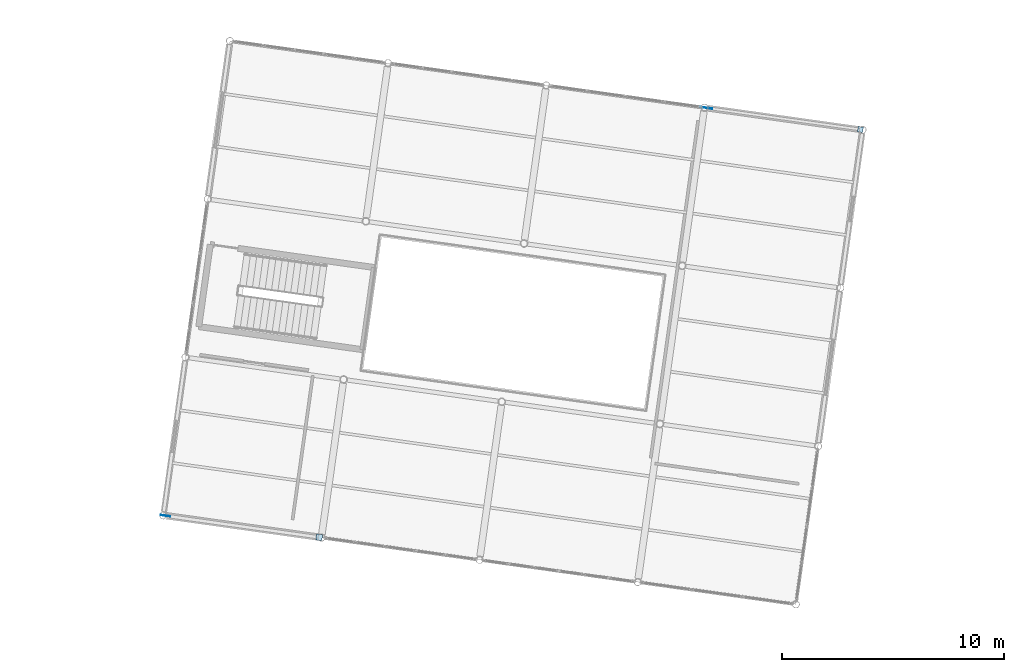
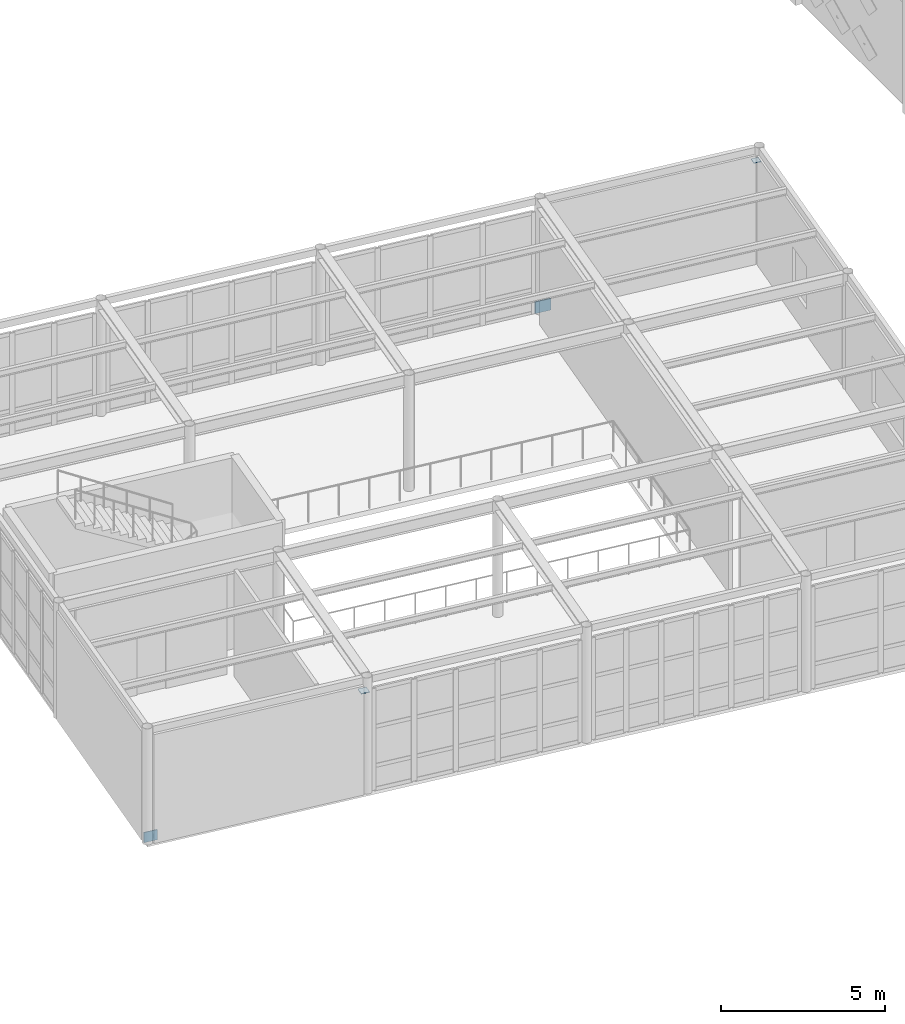
# One storey, part 62 of 80: 4 plates.
"""IFC4 building model written with IfcOpenShell, lengths in metres."""

from ifc_helpers import new_model, si_unit, direction, frame, origin, origin_2d, place, context, subcontext, project, spatial, rectangle, extrude, material, layer, layer_set, type_object, element, save


model = new_model("IFC4")

# Units and contexts
model_context = context("Model", 3, precision=1e-05, world=origin(), true_north=direction((0.0, 1.0)))
body_context = subcontext(model_context, "Body", "Model", "MODEL_VIEW")
ifc_project = project(units=[si_unit("LENGTHUNIT", "METRE"), si_unit("AREAUNIT", "SQUARE_METRE"), si_unit("VOLUMEUNIT", "CUBIC_METRE"), si_unit("PLANEANGLEUNIT", "RADIAN"), si_unit("MASSUNIT", "GRAM", prefix="KILO")], contexts=[model_context])

# Site, building, storey
site_placement = place(None, origin())
site = spatial("IfcSite", under=ifc_project, at=site_placement, CompositionType="ELEMENT")
building_placement = place(site_placement, origin())
building = spatial("IfcBuilding", under=site, at=building_placement, Name="Kharisveld Research Institute", CompositionType="ELEMENT")
storey_placement = place(building_placement, frame((0.0, 0.0, 5.10009765625)))
storey = spatial("IfcBuildingStorey", under=building, at=storey_placement, Name="L01", CompositionType="ELEMENT", Elevation=5.10009765625)

# Plates
ifc_material_1 = material(Name="Steel S355JR", Category="steel")
ifc_layer_1 = layer(ifc_material_1, 0.02197265625)
ifc_layer_set_1 = layer_set([ifc_layer_1], Name="PL_CAP_C")
plate_type_1 = type_object("IfcPlateType", Name="PL_CAP_C", PredefinedType="SHEET", material=ifc_layer_set_1)
plate_1_placement = place(storey_placement, frame((82.031005859375, 16.511962890625, 3.7490234375), z_axis=(0.0, 0.0, 1.0), x_axis=(0.990268068742, -0.13917310096, 0.0)))
element("IfcPlate", 1, at=plate_1_placement, inside=storey, type_object=plate_type_1, Name="PLT:V4:L01:CAP_0_0", PredefinedType="SHEET", context=body_context, shape_type="SweptSolid", body=[
    extrude(rectangle(XDim=0.280029296875, YDim=0.280029296875, at=origin_2d()), origin(), (0.0, 0.0, 1.0), 0.02197265625),
])
ifc_material_2 = material(Name="Steel S355JR", Category="steel")
ifc_layer_2 = layer(ifc_material_2, 0.02587890625)
ifc_layer_set_2 = layer_set([ifc_layer_2], Name="PL_CAP_D")
plate_type_2 = type_object("IfcPlateType", Name="PL_CAP_D", PredefinedType="SHEET", material=ifc_layer_set_2)
plate_2_placement = place(storey_placement, frame((106.4267578125, 34.8955078125, 3.7470703125), z_axis=(0.0, 0.0, 1.0), x_axis=(0.990268068742, -0.13917310096, 0.0)))
element("IfcPlate", 2, at=plate_2_placement, inside=storey, type_object=plate_type_2, Name="PLT:V4:L01:CAP_3_3", PredefinedType="SHEET", context=body_context, shape_type="SweptSolid", body=[
    extrude(rectangle(XDim=0.239990234375, YDim=0.239990234375, at=origin_2d()), origin(), (0.0, 0.0, 1.0), 0.02587890625),
])
ifc_material_3 = material(Name="Steel S355JR", Category="steel")
ifc_layer_3 = layer(ifc_material_3, 0.02392578125)
ifc_layer_set_3 = layer_set([ifc_layer_3], Name="PL_GUS_C")
plate_type_3 = type_object("IfcPlateType", Name="PL_GUS_C", PredefinedType="USERDEFINED", material=ifc_layer_set_3)
plate_3_placement = place(storey_placement, frame((75.09912109375, 17.486083984375, 0.010009765625), z_axis=(0.0, 0.0, 1.0), x_axis=(0.990268068742, -0.13917310096, 0.0)))
element("IfcPlate", 3, at=plate_3_placement, inside=storey, type_object=plate_type_3, Name="PLT:V4:L01:GUS_0_0", ObjectType="GUSSET PLATE", PredefinedType="USERDEFINED", context=body_context, shape_type="SweptSolid", body=[
    extrude(rectangle(XDim=0.43994140625, YDim=0.02392578125, at=origin_2d()), origin(), (0.0, 0.0, 1.0), 0.3798828125),
])
ifc_material_4 = material(Name="Steel S355JR", Category="steel")
ifc_layer_4 = layer(ifc_material_4, 0.028076171875)
ifc_layer_set_4 = layer_set([ifc_layer_4], Name="PL_GUS_D")
plate_type_4 = type_object("IfcPlateType", Name="PL_GUS_D", PredefinedType="USERDEFINED", material=ifc_layer_set_4)
plate_4_placement = place(storey_placement, frame((99.494873046875, 35.86962890625, -0.02001953125), z_axis=(0.0, 0.0, 1.0), x_axis=(0.990268068742, -0.13917310096, 0.0)))
element("IfcPlate", 4, at=plate_4_placement, inside=storey, type_object=plate_type_4, Name="PLT:V4:L01:GUS_3_3", ObjectType="GUSSET PLATE", PredefinedType="USERDEFINED", context=body_context, shape_type="SweptSolid", body=[
    extrude(rectangle(XDim=0.52001953125, YDim=0.028076171875, at=origin_2d()), origin(), (0.0, 0.0, 1.0), 0.43994140625),
])

save(model, "model.ifc")
